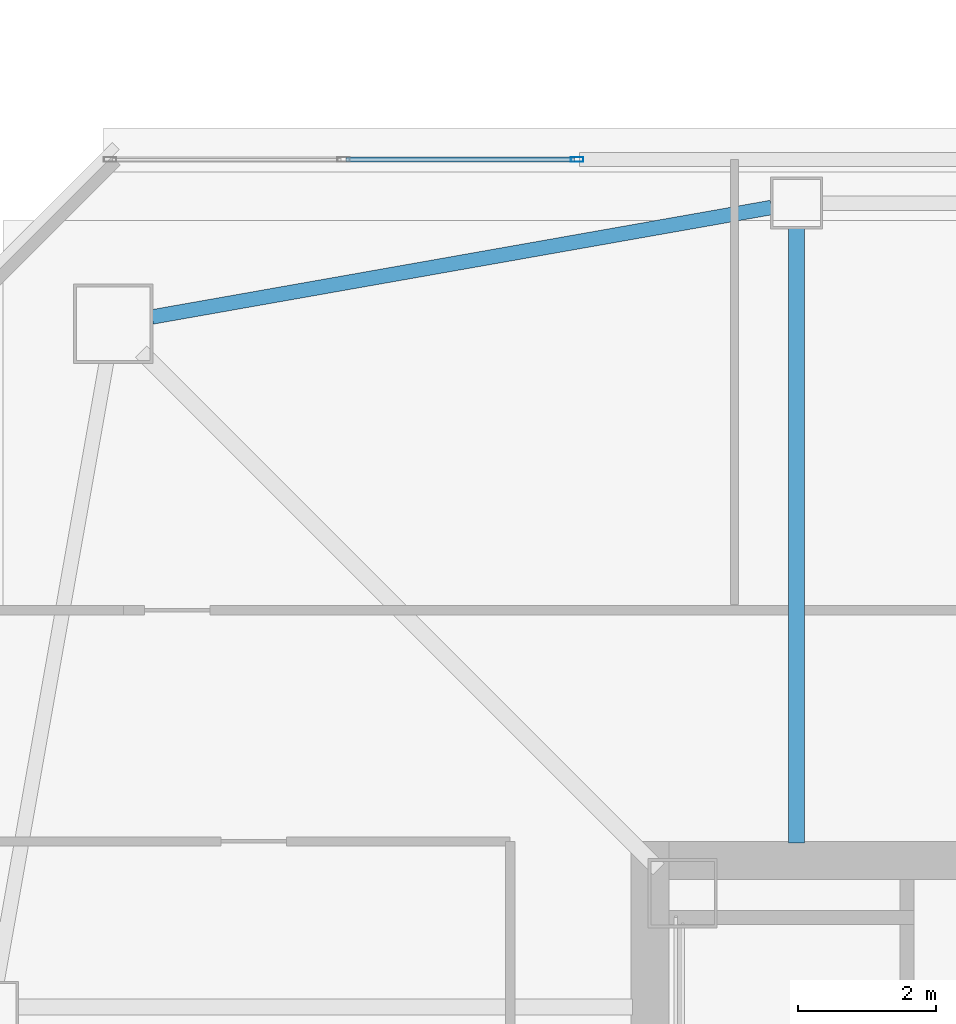
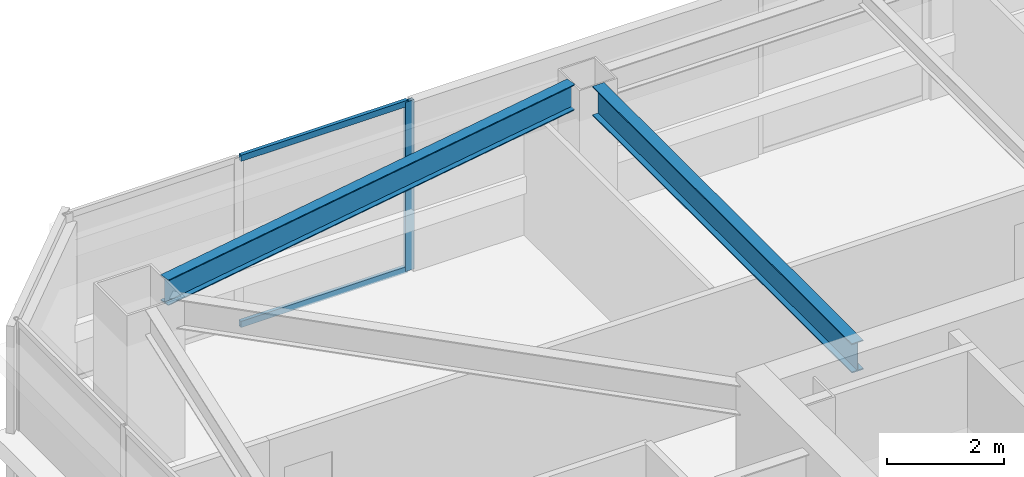
# One storey, part 13 of 43: 3 members, 2 beams, 1 element without a shape of its own.
"""IFC4 building model written with IfcOpenShell, lengths in metres."""

import ifcopenshell
import ifcopenshell.guid

model = None  # the IFC model being written
_history = None  # IfcOwnerHistory: only IFC2X3 demands one
_inside = {}  # id of a spatial element -> (the spatial element, [elements in it])
_under = {}  # id of a project, library or spatial element -> (it, [spatial elements below it])
_declared = {}  # id of a project -> (the project, [libraries it declares])
_typed = {}  # id of a type object -> (the type object, [elements of that type])
_made_of = {}  # id of a material, layer set ... -> (it, [elements and type objects made of it])


def new_model(schema):
    """Start an empty IFC model of exactly this schema.

    Asked for "IFC4X3", IfcOpenShell would pick the latest addendum, in which some entities
    have other attributes; the version numbers below select the first issue.
    IFC2X3 requires an IfcOwnerHistory on every rooted entity: one is made here for all.
    """
    global model, _history
    if schema == "IFC4X3":
        model = ifcopenshell.file(schema_version=(4, 3, 0, 0))
    else:
        model = ifcopenshell.file(schema=schema)
    _inside.clear()
    _under.clear()
    _declared.clear()
    _typed.clear()
    _made_of.clear()
    _history = None
    if model.schema == "IFC2X3":
        org = make("IfcOrganization", Name="unknown")
        user = make(
            "IfcPersonAndOrganization",
            ThePerson=make("IfcPerson", FamilyName="unknown"),
            TheOrganization=org,
        )
        app = make(
            "IfcApplication",
            ApplicationDeveloper=org,
            Version="unknown",
            ApplicationFullName="unknown",
            ApplicationIdentifier="unknown",
        )
        _history = make(
            "IfcOwnerHistory",
            OwningUser=user,
            OwningApplication=app,
            ChangeAction="ADDED",
            CreationDate=0,
        )
    return model


def make(cls, **values):
    """One entity of the class cls with the attributes given. An attribute that is None is left unset."""
    return model.create_entity(
        cls, **{name: value for name, value in values.items() if value is not None}
    )


def rooted(cls, **values):
    """An entity with a GlobalId (a new one), such as an element, a storey or a relation."""
    return make(cls, GlobalId=ifcopenshell.guid.new(), OwnerHistory=_history, **values)


def si_unit(unit_type, name, prefix=None):
    """IfcSIUnit, for example si_unit("LENGTHUNIT", "METRE", prefix="MILLI")."""
    return make("IfcSIUnit", UnitType=unit_type, Prefix=prefix, Name=name)


def assignment(units):
    """IfcUnitAssignment: the units of a project."""
    return None if units is None else make("IfcUnitAssignment", Units=units)


def point(xyz):
    """IfcCartesianPoint."""
    return None if xyz is None else make("IfcCartesianPoint", Coordinates=xyz)


def direction(xyz):
    """IfcDirection."""
    return None if xyz is None else make("IfcDirection", DirectionRatios=xyz)


def frame(location, z_axis=None, x_axis=None):
    """IfcAxis2Placement3D, a coordinate frame: its origin and axes. An axis left out is left unset."""
    return make(
        "IfcAxis2Placement3D",
        Location=point(location),
        Axis=direction(z_axis),
        RefDirection=direction(x_axis),
    )


def frame_2d(location, x_axis=None):
    """IfcAxis2Placement2D, a coordinate frame in the plane: its origin and x axis."""
    return make(
        "IfcAxis2Placement2D", Location=point(location), RefDirection=direction(x_axis)
    )


def origin():
    """The frame at (0, 0, 0) with its axes left unset."""
    return frame((0.0, 0.0, 0.0))


def origin_2d():
    """The frame at (0, 0) in the plane with its x axis left unset."""
    return frame_2d((0.0, 0.0))


def place(relative_to, where):
    """IfcLocalPlacement: puts the frame where relative to a parent placement (None: the world)."""
    return make(
        "IfcLocalPlacement", PlacementRelTo=relative_to, RelativePlacement=where
    )


def context(
    kind, dimensions, precision=None, world=None, true_north=None, identifier=None
):
    """IfcGeometricRepresentationContext, for example the 3D "Model" context."""
    return make(
        "IfcGeometricRepresentationContext",
        ContextIdentifier=identifier,
        ContextType=kind,
        CoordinateSpaceDimension=dimensions,
        Precision=precision,
        WorldCoordinateSystem=world,
        TrueNorth=true_north,
    )


def subcontext(parent, identifier, kind, view, scale=None):
    """IfcGeometricRepresentationSubContext, for example "Body" below "Model"."""
    return make(
        "IfcGeometricRepresentationSubContext",
        ContextIdentifier=identifier,
        ContextType=kind,
        ParentContext=parent,
        TargetScale=scale,
        TargetView=view,
    )


def project(units=None, contexts=None):
    """IfcProject with its units and contexts."""
    return rooted(
        "IfcProject",
        Name="project",
        RepresentationContexts=contexts,
        UnitsInContext=assignment(units),
    )


def spatial(cls, under=None, at=None, **own):
    """A site, building, storey or space (cls), placed at a placement, below another one or the project."""
    s = rooted(cls, ObjectPlacement=at, **own)
    if under is not None:
        _under.setdefault(under.id(), (under, []))[1].append(s)
    return s


def profile(cls, at=None, kind="AREA", **sizes):
    """A parametric profile (cls). Its sizes go by their IFC names, for example OverallWidth=200.0."""
    return make(cls, ProfileType=kind, Position=at, **sizes)


def hollow_rectangle(**sizes):
    """IfcRectangleHollowProfileDef."""
    return profile("IfcRectangleHollowProfileDef", **sizes)


def i_section(**sizes):
    """IfcIShapeProfileDef."""
    return profile("IfcIShapeProfileDef", **sizes)


def extrude(swept, where, along, depth):
    """IfcExtrudedAreaSolid: the profile swept, set in the frame where, extruded along a direction by depth."""
    return make(
        "IfcExtrudedAreaSolid",
        SweptArea=swept,
        Position=where,
        ExtrudedDirection=direction(along),
        Depth=depth,
    )


def shape(context_of_items, identifier, shape_type, items):
    """IfcShapeRepresentation: the items that make up one representation, for example the "Body"."""
    return make(
        "IfcShapeRepresentation",
        ContextOfItems=context_of_items,
        RepresentationIdentifier=identifier,
        RepresentationType=shape_type,
        Items=items,
    )


def material(Name=None, Category=None):
    """IfcMaterial."""
    return make("IfcMaterial", Name=Name, Category=Category)


def material_profile(
    of_material, cross_section, Name=None, Category=None, Priority=None
):
    """IfcMaterialProfile: a cross section and its material."""
    return make(
        "IfcMaterialProfile",
        Name=Name,
        Material=of_material,
        Profile=cross_section,
        Priority=Priority,
        Category=Category,
    )


def profile_set(profiles, Name=None, composite=None):
    """IfcMaterialProfileSet."""
    return make(
        "IfcMaterialProfileSet",
        Name=Name,
        MaterialProfiles=profiles,
        CompositeProfile=composite,
    )


def made_of(thing, what):
    """Note that an element or type object is made of a material, layer set ...; save() writes the relation."""
    if what is not None:
        _made_of.setdefault(what.id(), (what, []))[1].append(thing)
    return thing


def type_object(cls, material=None, **own):
    """A type object (cls), such as IfcWallType, which elements share."""
    return made_of(rooted(cls, **own), material)


def element(
    cls,
    number,
    at=None,
    inside=None,
    cuts=None,
    type_object=None,
    material=None,
    context=None,
    identifier="Body",
    shape_type=None,
    held_by="IfcProductDefinitionShape",
    body=None,
    shapes=None,
    **own,
):
    """One element of the class cls, such as IfcWall. Its Tag is "e" and its number.

    at: its placement. inside: the storey or other place that contains it. cuts: it is an
    opening in that element (IfcRelVoidsElement). A single representation is given by context,
    identifier, shape_type and body (its items); several are given by shapes. held_by: the class
    of the entity that holds the representations. save() writes the other relations.
    """
    e = rooted(cls, Tag="e%d" % number, ObjectPlacement=at, **own)
    if body is not None:
        shapes = [shape(context, identifier, shape_type, body)]
    if shapes is not None:
        e.Representation = make(held_by, Representations=shapes)
    if inside is not None:
        _inside.setdefault(inside.id(), (inside, []))[1].append(e)
    if cuts is not None:
        rooted(
            "IfcRelVoidsElement", RelatingBuildingElement=cuts, RelatedOpeningElement=e
        )
    if type_object is not None:
        _typed.setdefault(type_object.id(), (type_object, []))[1].append(e)
    return made_of(e, material)


def aggregate(whole, parts):
    """IfcRelAggregates: a whole, such as a stair, and the parts it consists of."""
    return rooted("IfcRelAggregates", RelatingObject=whole, RelatedObjects=parts)


def save(model, path):
    """Write the relations noted so far, then the file.

    IfcRelAggregates (storeys below a building ...), IfcRelContainedInSpatialStructure (elements
    in a storey), IfcRelDefinesByType, IfcRelAssociatesMaterial and IfcRelDeclares: one each for
    every whole, place, type object, material and project.
    """
    for whole, parts in _under.values():
        aggregate(whole, parts)
    for where, things in _inside.values():
        rooted(
            "IfcRelContainedInSpatialStructure",
            RelatedElements=things,
            RelatingStructure=where,
        )
    for kind, things in _typed.values():
        rooted("IfcRelDefinesByType", RelatedObjects=things, RelatingType=kind)
    for what, things in _made_of.values():
        rooted("IfcRelAssociatesMaterial", RelatedObjects=things, RelatingMaterial=what)
    for by, libraries in _declared.values():
        rooted("IfcRelDeclares", RelatingContext=by, RelatedDefinitions=libraries)
    model.write(path)


model = new_model("IFC4")

# Units and contexts
model_context = context("Model", 3, precision=1e-05, world=origin(), true_north=direction((0.0, 1.0)))
body_context = subcontext(model_context, "Body", "Model", "MODEL_VIEW")
ifc_project = project(units=[si_unit("LENGTHUNIT", "METRE"), si_unit("AREAUNIT", "SQUARE_METRE"), si_unit("VOLUMEUNIT", "CUBIC_METRE"), si_unit("PLANEANGLEUNIT", "RADIAN"), si_unit("MASSUNIT", "GRAM", prefix="KILO")], contexts=[model_context])

# Site, building, storey
site_placement = place(None, origin())
site = spatial("IfcSite", under=ifc_project, at=site_placement, CompositionType="ELEMENT")
building_placement = place(site_placement, origin())
building = spatial("IfcBuilding", under=site, at=building_placement, Name="Tashvorn Skyway Center", CompositionType="ELEMENT")
storey_placement = place(building_placement, frame((0.0, 0.0, 185.39990234375)))
storey = spatial("IfcBuildingStorey", under=building, at=storey_placement, Name="L50", CompositionType="ELEMENT", Elevation=185.39990234375)

# Beams
ifc_material_1 = material(Name="Steel ASTM A992 Grade 50", Category="steel")
ifc_material_profile_1 = material_profile(ifc_material_1, i_section(OverallWidth=0.22998046875, OverallDepth=0.616943359375, WebThickness=0.01318359375, FlangeThickness=0.022216796875, at=origin_2d()), Name="W24X94")
ifc_profile_set_1 = profile_set([ifc_material_profile_1], Name="Steel ASTM A992 Grade 50")
beam_type_1 = type_object("IfcBeamType", Name="BM-BEAM-W24X94", PredefinedType="BEAM", material=ifc_profile_set_1)
beam_1_placement = place(storey_placement, frame((36.60009765625, 48.679931640625, 3.0615234375), z_axis=(0.0, -1.0, 0.0), x_axis=(1.0, 0.0, 0.0)))
element("IfcBeam", 1, at=beam_1_placement, inside=storey, type_object=beam_type_1, Name="Tower 1 L50 Primary Floor Girder FC-N2", PredefinedType="BEAM", context=body_context, shape_type="SweptSolid", body=[
    extrude(i_section(OverallWidth=0.22998046875, OverallDepth=0.616943359375, WebThickness=0.01318359375, FlangeThickness=0.022216796875, at=origin_2d()), origin(), (0.0, 0.0, 1.0), 8.89990234375),
])
ifc_material_profile_2 = material_profile(ifc_material_1, i_section(OverallWidth=0.2109375, OverallDepth=0.5390625, WebThickness=0.01171875, FlangeThickness=0.018798828125, at=origin_2d()), Name="W21X73")
ifc_profile_set_2 = profile_set([ifc_material_profile_2], Name="Steel ASTM A992 Grade 50")
beam_type_2 = type_object("IfcBeamType", Name="BM-SPANDREL-W21X73", PredefinedType="SPANDREL", material=ifc_profile_set_2)
beam_2_placement = place(storey_placement, frame((36.235595703125, 48.985595703125, 3.1005859375), z_axis=(-0.984732545667, -0.174074160933, 0.0), x_axis=(0.174074160933, -0.984732545667, 0.0)))
element("IfcBeam", 2, at=beam_2_placement, inside=storey, type_object=beam_type_2, Name="Tower 1 L50 Spandrel Beam 09", PredefinedType="SPANDREL", context=body_context, shape_type="SweptSolid", body=[
    extrude(i_section(OverallWidth=0.2109375, OverallDepth=0.5390625, WebThickness=0.01171875, FlangeThickness=0.018798828125, at=origin_2d()), origin(), (0.0, 0.0, 1.0), 9.113525390625),
])

# Curtain wall, members
ifc_material_2 = material(Name="Thermally broken bronze-anodized aluminium 6063-T6", Category="aluminium")
curtain_wall_type = type_object("IfcCurtainWallType", Name="CW-CW-Z4", PredefinedType="NOTDEFINED", material=ifc_material_2)
curtain_wall_placement = place(storey_placement, origin())
curtain_wall = element("IfcCurtainWall", 3, at=curtain_wall_placement, inside=storey, type_object=curtain_wall_type, Name="Tower 1 L50 North Unitised Curtain Wall Glazing Group 1", PredefinedType="NOTDEFINED")
ifc_material_profile_3 = material_profile(ifc_material_2, hollow_rectangle(XDim=0.070068359375, YDim=0.179931640625, WallThickness=0.00390625, at=origin_2d()), Name="ALU-MULL-70x180")
ifc_profile_set_3 = profile_set([ifc_material_profile_3], Name="Thermally broken bronze-anodized aluminium 6063-T6")
member_type_1 = type_object("IfcMemberType", Name="CWM-CW-Z4", PredefinedType="MULLION", material=ifc_profile_set_3)
member_1_placement = place(storey_placement, frame((33.420654296875, 49.679931640625, 0.0), z_axis=(0.0, 0.0, 1.0), x_axis=(0.0, 1.0, 0.0)))
member_1 = element("IfcMember", 4, at=member_1_placement, type_object=member_type_1, Name="CW-Z4 mullion 3", PredefinedType="MULLION", context=body_context, shape_type="SweptSolid", body=[
    extrude(hollow_rectangle(XDim=0.070068359375, YDim=0.179931640625, WallThickness=0.00390625, at=origin_2d()), origin(), (0.0, 0.0, 1.0), 3.550048828125),
])
ifc_material_profile_4 = material_profile(ifc_material_2, hollow_rectangle(XDim=0.070068359375, YDim=0.1298828125, WallThickness=0.00390625, at=origin_2d()), Name="ALU-TRAN-70x130")
ifc_profile_set_4 = profile_set([ifc_material_profile_4], Name="Thermally broken bronze-anodized aluminium 6063-T6")
member_type_2 = type_object("IfcMemberType", Name="CWT-CW-Z4", PredefinedType="USERDEFINED", material=ifc_profile_set_4)
member_2_placement = place(storey_placement, frame((30.07275390625, 49.679931640625, 0.03515625), z_axis=(1.0, 0.0, 0.0), x_axis=(0.0, 1.0, 0.0)))
member_2 = element("IfcMember", 5, at=member_2_placement, type_object=member_type_2, Name="CW-Z4 transom 2.1", ObjectType="TRANSOM", PredefinedType="USERDEFINED", context=body_context, shape_type="SweptSolid", body=[
    extrude(hollow_rectangle(XDim=0.070068359375, YDim=0.1298828125, WallThickness=0.00390625, at=origin_2d()), origin(), (0.0, 0.0, 1.0), 3.312744140625),
])
member_3_placement = place(storey_placement, frame((30.07275390625, 49.679931640625, 3.51513671875), z_axis=(1.0, 0.0, 0.0), x_axis=(0.0, 1.0, 0.0)))
member_3 = element("IfcMember", 6, at=member_3_placement, type_object=member_type_2, Name="CW-Z4 transom 2.2", ObjectType="TRANSOM", PredefinedType="USERDEFINED", context=body_context, shape_type="SweptSolid", body=[
    extrude(hollow_rectangle(XDim=0.070068359375, YDim=0.1298828125, WallThickness=0.00390625, at=origin_2d()), origin(), (0.0, 0.0, 1.0), 3.312744140625),
])
aggregate(curtain_wall, [member_1, member_2, member_3])

save(model, "model.ifc")
